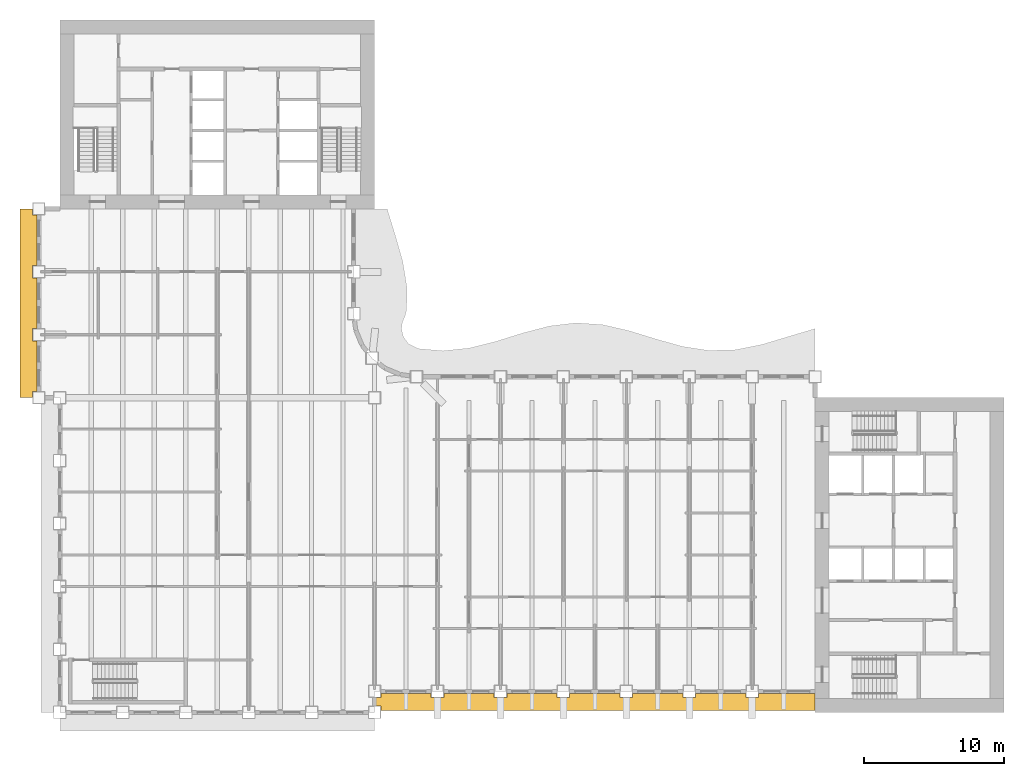
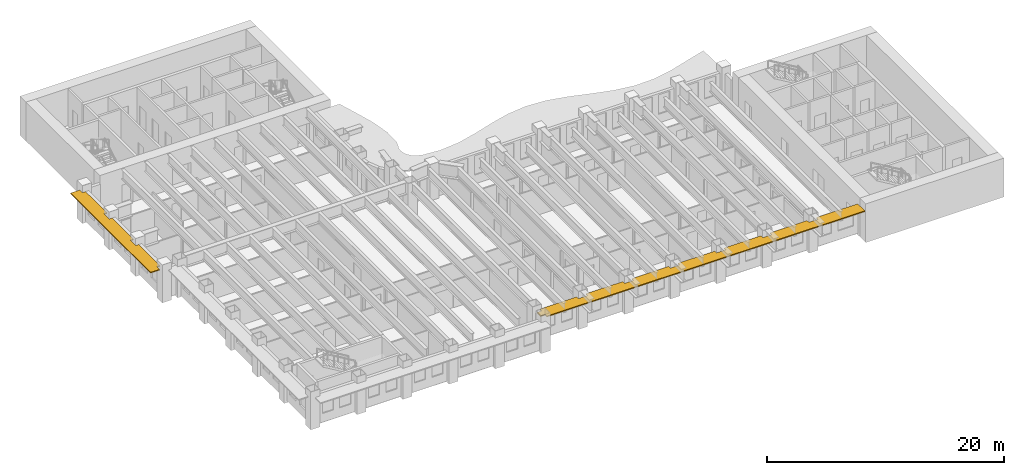
# One storey, part 12 of 16: 2 shading devices.
"""IFC4 building model written with IfcOpenShell, lengths in metres."""

import ifcopenshell
import ifcopenshell.guid

model = None  # the IFC model being written
_history = None  # IfcOwnerHistory: only IFC2X3 demands one
_inside = {}  # id of a spatial element -> (the spatial element, [elements in it])
_under = {}  # id of a project, library or spatial element -> (it, [spatial elements below it])
_declared = {}  # id of a project -> (the project, [libraries it declares])
_typed = {}  # id of a type object -> (the type object, [elements of that type])
_made_of = {}  # id of a material, layer set ... -> (it, [elements and type objects made of it])


def new_model(schema):
    """Start an empty IFC model of exactly this schema.

    Asked for "IFC4X3", IfcOpenShell would pick the latest addendum, in which some entities
    have other attributes; the version numbers below select the first issue.
    IFC2X3 requires an IfcOwnerHistory on every rooted entity: one is made here for all.
    """
    global model, _history
    if schema == "IFC4X3":
        model = ifcopenshell.file(schema_version=(4, 3, 0, 0))
    else:
        model = ifcopenshell.file(schema=schema)
    _inside.clear()
    _under.clear()
    _declared.clear()
    _typed.clear()
    _made_of.clear()
    _history = None
    if model.schema == "IFC2X3":
        org = make("IfcOrganization", Name="unknown")
        user = make(
            "IfcPersonAndOrganization",
            ThePerson=make("IfcPerson", FamilyName="unknown"),
            TheOrganization=org,
        )
        app = make(
            "IfcApplication",
            ApplicationDeveloper=org,
            Version="unknown",
            ApplicationFullName="unknown",
            ApplicationIdentifier="unknown",
        )
        _history = make(
            "IfcOwnerHistory",
            OwningUser=user,
            OwningApplication=app,
            ChangeAction="ADDED",
            CreationDate=0,
        )
    return model


def make(cls, **values):
    """One entity of the class cls with the attributes given. An attribute that is None is left unset."""
    return model.create_entity(
        cls, **{name: value for name, value in values.items() if value is not None}
    )


def rooted(cls, **values):
    """An entity with a GlobalId (a new one), such as an element, a storey or a relation."""
    return make(cls, GlobalId=ifcopenshell.guid.new(), OwnerHistory=_history, **values)


def si_unit(unit_type, name, prefix=None):
    """IfcSIUnit, for example si_unit("LENGTHUNIT", "METRE", prefix="MILLI")."""
    return make("IfcSIUnit", UnitType=unit_type, Prefix=prefix, Name=name)


def assignment(units):
    """IfcUnitAssignment: the units of a project."""
    return None if units is None else make("IfcUnitAssignment", Units=units)


def point(xyz):
    """IfcCartesianPoint."""
    return None if xyz is None else make("IfcCartesianPoint", Coordinates=xyz)


def direction(xyz):
    """IfcDirection."""
    return None if xyz is None else make("IfcDirection", DirectionRatios=xyz)


def frame(location, z_axis=None, x_axis=None):
    """IfcAxis2Placement3D, a coordinate frame: its origin and axes. An axis left out is left unset."""
    return make(
        "IfcAxis2Placement3D",
        Location=point(location),
        Axis=direction(z_axis),
        RefDirection=direction(x_axis),
    )


def origin():
    """The frame at (0, 0, 0) with its axes left unset."""
    return frame((0.0, 0.0, 0.0))


def place(relative_to, where):
    """IfcLocalPlacement: puts the frame where relative to a parent placement (None: the world)."""
    return make(
        "IfcLocalPlacement", PlacementRelTo=relative_to, RelativePlacement=where
    )


def context(
    kind, dimensions, precision=None, world=None, true_north=None, identifier=None
):
    """IfcGeometricRepresentationContext, for example the 3D "Model" context."""
    return make(
        "IfcGeometricRepresentationContext",
        ContextIdentifier=identifier,
        ContextType=kind,
        CoordinateSpaceDimension=dimensions,
        Precision=precision,
        WorldCoordinateSystem=world,
        TrueNorth=true_north,
    )


def subcontext(parent, identifier, kind, view, scale=None):
    """IfcGeometricRepresentationSubContext, for example "Body" below "Model"."""
    return make(
        "IfcGeometricRepresentationSubContext",
        ContextIdentifier=identifier,
        ContextType=kind,
        ParentContext=parent,
        TargetScale=scale,
        TargetView=view,
    )


def project(units=None, contexts=None):
    """IfcProject with its units and contexts."""
    return rooted(
        "IfcProject",
        Name="project",
        RepresentationContexts=contexts,
        UnitsInContext=assignment(units),
    )


def spatial(cls, under=None, at=None, **own):
    """A site, building, storey or space (cls), placed at a placement, below another one or the project."""
    s = rooted(cls, ObjectPlacement=at, **own)
    if under is not None:
        _under.setdefault(under.id(), (under, []))[1].append(s)
    return s


def polyline(points):
    """IfcPolyline through the points."""
    return make("IfcPolyline", Points=[point(p) for p in points])


def outline(outer, holes=None, kind="AREA"):
    """IfcArbitraryClosedProfileDef: a profile drawn as a closed curve; with holes, ...WithVoids."""
    if holes is None:
        return make("IfcArbitraryClosedProfileDef", ProfileType=kind, OuterCurve=outer)
    return make(
        "IfcArbitraryProfileDefWithVoids",
        ProfileType=kind,
        OuterCurve=outer,
        InnerCurves=holes,
    )


def extrude(swept, where, along, depth):
    """IfcExtrudedAreaSolid: the profile swept, set in the frame where, extruded along a direction by depth."""
    return make(
        "IfcExtrudedAreaSolid",
        SweptArea=swept,
        Position=where,
        ExtrudedDirection=direction(along),
        Depth=depth,
    )


def shape(context_of_items, identifier, shape_type, items):
    """IfcShapeRepresentation: the items that make up one representation, for example the "Body"."""
    return make(
        "IfcShapeRepresentation",
        ContextOfItems=context_of_items,
        RepresentationIdentifier=identifier,
        RepresentationType=shape_type,
        Items=items,
    )


def material(Name=None, Category=None):
    """IfcMaterial."""
    return make("IfcMaterial", Name=Name, Category=Category)


def layer(
    of_material, thickness, ventilated=None, Name=None, Category=None, Priority=None
):
    """IfcMaterialLayer: one layer of a wall or slab, of a material (None: an air gap)."""
    return make(
        "IfcMaterialLayer",
        Material=of_material,
        LayerThickness=thickness,
        IsVentilated=ventilated,
        Name=Name,
        Category=Category,
        Priority=Priority,
    )


def layer_set(layers, Name=None):
    """IfcMaterialLayerSet."""
    return make("IfcMaterialLayerSet", MaterialLayers=layers, LayerSetName=Name)


def made_of(thing, what):
    """Note that an element or type object is made of a material, layer set ...; save() writes the relation."""
    if what is not None:
        _made_of.setdefault(what.id(), (what, []))[1].append(thing)
    return thing


def type_object(cls, material=None, **own):
    """A type object (cls), such as IfcWallType, which elements share."""
    return made_of(rooted(cls, **own), material)


def element(
    cls,
    number,
    at=None,
    inside=None,
    cuts=None,
    type_object=None,
    material=None,
    context=None,
    identifier="Body",
    shape_type=None,
    held_by="IfcProductDefinitionShape",
    body=None,
    shapes=None,
    **own,
):
    """One element of the class cls, such as IfcWall. Its Tag is "e" and its number.

    at: its placement. inside: the storey or other place that contains it. cuts: it is an
    opening in that element (IfcRelVoidsElement). A single representation is given by context,
    identifier, shape_type and body (its items); several are given by shapes. held_by: the class
    of the entity that holds the representations. save() writes the other relations.
    """
    e = rooted(cls, Tag="e%d" % number, ObjectPlacement=at, **own)
    if body is not None:
        shapes = [shape(context, identifier, shape_type, body)]
    if shapes is not None:
        e.Representation = make(held_by, Representations=shapes)
    if inside is not None:
        _inside.setdefault(inside.id(), (inside, []))[1].append(e)
    if cuts is not None:
        rooted(
            "IfcRelVoidsElement", RelatingBuildingElement=cuts, RelatedOpeningElement=e
        )
    if type_object is not None:
        _typed.setdefault(type_object.id(), (type_object, []))[1].append(e)
    return made_of(e, material)


def aggregate(whole, parts):
    """IfcRelAggregates: a whole, such as a stair, and the parts it consists of."""
    return rooted("IfcRelAggregates", RelatingObject=whole, RelatedObjects=parts)


def save(model, path):
    """Write the relations noted so far, then the file.

    IfcRelAggregates (storeys below a building ...), IfcRelContainedInSpatialStructure (elements
    in a storey), IfcRelDefinesByType, IfcRelAssociatesMaterial and IfcRelDeclares: one each for
    every whole, place, type object, material and project.
    """
    for whole, parts in _under.values():
        aggregate(whole, parts)
    for where, things in _inside.values():
        rooted(
            "IfcRelContainedInSpatialStructure",
            RelatedElements=things,
            RelatingStructure=where,
        )
    for kind, things in _typed.values():
        rooted("IfcRelDefinesByType", RelatedObjects=things, RelatingType=kind)
    for what, things in _made_of.values():
        rooted("IfcRelAssociatesMaterial", RelatedObjects=things, RelatingMaterial=what)
    for by, libraries in _declared.values():
        rooted("IfcRelDeclares", RelatingContext=by, RelatedDefinitions=libraries)
    model.write(path)


model = new_model("IFC4")

# Units and contexts
model_context = context("Model", 3, precision=1e-05, world=origin(), true_north=direction((0.0, 1.0)))
body_context = subcontext(model_context, "Body", "Model", "MODEL_VIEW")
ifc_project = project(units=[si_unit("LENGTHUNIT", "METRE"), si_unit("AREAUNIT", "SQUARE_METRE"), si_unit("VOLUMEUNIT", "CUBIC_METRE"), si_unit("PLANEANGLEUNIT", "RADIAN"), si_unit("MASSUNIT", "GRAM", prefix="KILO")], contexts=[model_context])

# Site, building, storey
site_placement = place(None, origin())
site = spatial("IfcSite", under=ifc_project, at=site_placement, CompositionType="ELEMENT")
building_placement = place(site_placement, origin())
building = spatial("IfcBuilding", under=site, at=building_placement, Name="Sennacour Bend Tower", CompositionType="ELEMENT")
storey_placement = place(building_placement, frame((0.0, 0.0, 183.0)))
storey = spatial("IfcBuildingStorey", under=building, at=storey_placement, Name="L42", CompositionType="ELEMENT", Elevation=183.0)

# Shading devices
ifc_material = material(Name="Bronze anodised aluminium", Category="aluminium")
ifc_layer = layer(ifc_material, 0.10009765625, Name="Bronze anodised aluminium", Category="aluminium")
ifc_layer_set = layer_set([ifc_layer], Name="Bronze anodised aluminium")
shading_device_type = type_object("IfcShadingDeviceType", Name="SUNSHADE BAND STRAIGHT", PredefinedType="USERDEFINED", material=ifc_layer_set)
shading_device_1_placement = place(storey_placement, frame((0.0, 0.0, 2.948974609375)))
element("IfcShadingDevice", 1, at=shading_device_1_placement, inside=storey, type_object=shading_device_type, Name="Sunshade band L42 A outer face", ObjectType="SUNSHADE", PredefinedType="USERDEFINED", context=body_context, shape_type="SweptSolid", body=[
    extrude(outline(polyline([(26.550048828125, 1.35009765625), (26.550048828125, 1.050048828125), (27.449951171875, 1.050048828125), (27.449951171875, 1.35009765625), (31.050048828125, 1.35009765625), (31.050048828125, 1.050048828125), (31.949951171875, 1.050048828125), (31.949951171875, 1.35009765625), (35.550048828125, 1.35009765625), (35.550048828125, 1.050048828125), (36.449951171875, 1.050048828125), (36.449951171875, 1.35009765625), (40.050048828125, 1.35009765625), (40.050048828125, 1.050048828125), (40.949951171875, 1.050048828125), (40.949951171875, 1.35009765625), (44.550048828125, 1.35009765625), (44.550048828125, 1.050048828125), (45.449951171875, 1.050048828125), (45.449951171875, 1.35009765625), (49.050048828125, 1.35009765625), (49.050048828125, 1.050048828125), (49.949951171875, 1.050048828125), (49.949951171875, 1.35009765625), (54.0, 1.35009765625), (54.0, 0.14990234375), (22.949951171875, 0.14990234375), (22.949951171875, 0.449951171875), (22.5, 0.449951171875), (22.5, 1.050048828125), (22.949951171875, 1.050048828125), (22.949951171875, 1.35009765625), (26.550048828125, 1.35009765625)])), origin(), (0.0, 0.0, 1.0), 0.10009765625),
])
shading_device_2_placement = place(storey_placement, frame((0.0, 0.0, 2.948974609375)))
element("IfcShadingDevice", 2, at=shading_device_2_placement, inside=storey, type_object=shading_device_type, Name="Sunshade band L42 B outer face", ObjectType="SUNSHADE", PredefinedType="USERDEFINED", context=body_context, shape_type="SweptSolid", body=[
    extrude(outline(polyline([(-1.64990234375, 31.949951171875), (-1.949951171875, 31.949951171875), (-1.949951171875, 31.050048828125), (-1.64990234375, 31.050048828125), (-1.64990234375, 27.449951171875), (-1.949951171875, 27.449951171875), (-1.949951171875, 26.550048828125), (-1.64990234375, 26.550048828125), (-1.64990234375, 22.949951171875), (-1.949951171875, 22.949951171875), (-1.949951171875, 22.5), (-2.85009765625, 22.5), (-2.85009765625, 36.0), (-1.949951171875, 36.0), (-1.949951171875, 35.550048828125), (-1.64990234375, 35.550048828125), (-1.64990234375, 31.949951171875)])), origin(), (0.0, 0.0, 1.0), 0.10009765625),
])

save(model, "model.ifc")
